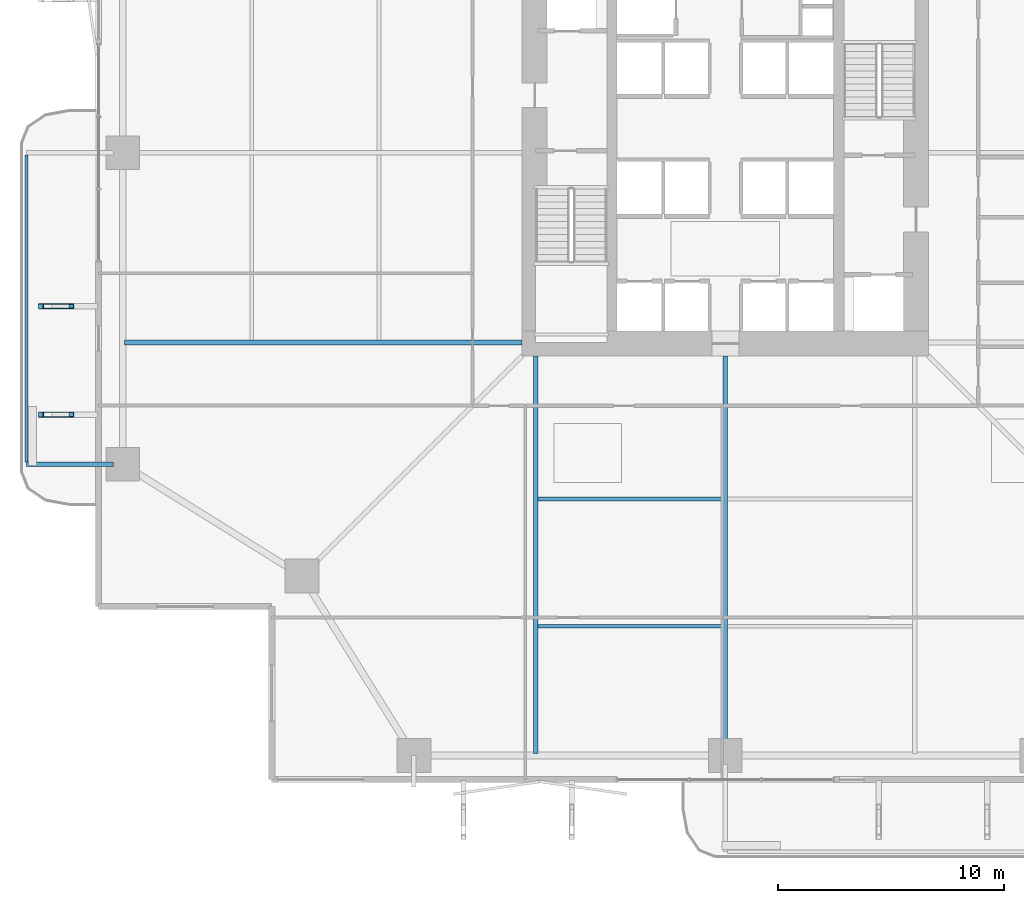
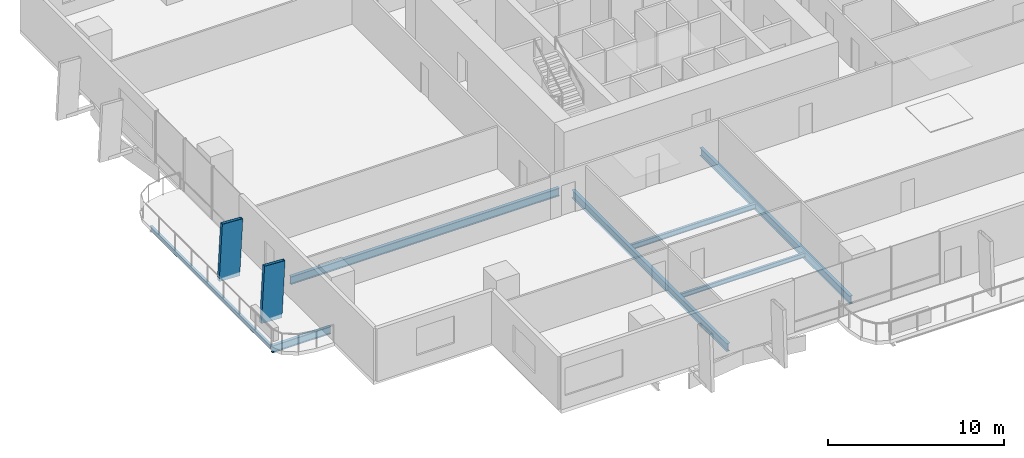
# One storey, part 3 of 24: 7 beams, 2 members.
"""IFC4 building model written with IfcOpenShell, lengths in metres."""

from ifc_helpers import new_model, si_unit, direction, frame, origin, origin_2d, place, context, subcontext, project, spatial, hollow_rectangle, i_section, extrude, material, material_profile, profile_set, type_object, element, save


model = new_model("IFC4")

# Units and contexts
model_context = context("Model", 3, precision=1e-05, world=origin(), true_north=direction((0.0, 1.0)))
body_context = subcontext(model_context, "Body", "Model", "MODEL_VIEW")
ifc_project = project(units=[si_unit("LENGTHUNIT", "METRE"), si_unit("AREAUNIT", "SQUARE_METRE"), si_unit("VOLUMEUNIT", "CUBIC_METRE"), si_unit("PLANEANGLEUNIT", "RADIAN"), si_unit("MASSUNIT", "GRAM", prefix="KILO")], contexts=[model_context])

# Site, building, storey
site_placement = place(None, origin())
site = spatial("IfcSite", under=ifc_project, at=site_placement, CompositionType="ELEMENT")
building_placement = place(site_placement, origin())
building = spatial("IfcBuilding", under=site, at=building_placement, Name="Belovzor Exchange Tower", CompositionType="ELEMENT")
storey_placement = place(building_placement, frame((0.0, 0.0, 61.199951171875)))
storey = spatial("IfcBuildingStorey", under=building, at=storey_placement, Name="L14", CompositionType="ELEMENT", Elevation=61.199951171875)

# Members
ifc_material_1 = material(Name="Extruded Architectural Terracotta on Steel S355 Carrier", Category="masonry")
ifc_material_profile_1 = material_profile(ifc_material_1, hollow_rectangle(XDim=0.219970703125, YDim=1.35009765625, WallThickness=0.013916015625, at=origin_2d()))
ifc_profile_set_1 = profile_set([ifc_material_profile_1], Name="Extruded Architectural Terracotta on Steel S355 Carrier")
member_type = type_object("IfcMemberType", Name="Base Arc Sweeping Terracotta Pylon Fin 1450", PredefinedType="USERDEFINED", material=ifc_profile_set_1)
for number, where, z_axis, x_axis, name in (
    (1, (-0.948974609375, 17.199951171875, -0.25), (0.053756276307, 0.0, 0.998554086045), (0.0, 1.0, 0.0), "FIN-TC145 Terracotta Facade Fin L14 W1"),
    (2, (-0.948974609375, 22.0, -0.25), (0.053756276307, 0.0, 0.998554086045), (0.0, 1.0, 0.0), "FIN-TC145 Terracotta Facade Fin L14 W2"),
):
    element("IfcMember", number, at=place(storey_placement, frame(where, z_axis=z_axis, x_axis=x_axis)), inside=storey, type_object=member_type, Name=name, ObjectType="FIN", PredefinedType="USERDEFINED", context=body_context, shape_type="SweptSolid", body=[
        extrude(hollow_rectangle(XDim=0.219970703125, YDim=1.35009765625, WallThickness=0.013916015625, at=origin_2d()), origin(), (0.0, 0.0, 1.0), 3.90576171875),
    ])

# Beams
ifc_material_2 = material(Name="Steel S355", Category="steel")
ifc_material_profile_2 = material_profile(ifc_material_2, i_section(OverallWidth=0.199951171875, OverallDepth=0.5, WebThickness=0.01025390625, FlangeThickness=0.01611328125, at=origin_2d()))
ifc_profile_set_2 = profile_set([ifc_material_profile_2], Name="Steel S355")
beam_type_1 = type_object("IfcBeamType", Name="Planted Balcony Cantilever Beam IPE 500", PredefinedType="BEAM", material=ifc_profile_set_2)
beam_1_placement = place(storey_placement, frame((1.68798828125, 15.0, -0.5), z_axis=(-1.0, 0.0, 0.0), x_axis=(0.0, -1.0, 0.0)))
element("IfcBeam", 3, at=beam_1_placement, inside=storey, type_object=beam_type_1, Name="BC-500 Planted Balcony Cantilever Beam IPE 500", PredefinedType="BEAM", context=body_context, shape_type="SweptSolid", body=[
    extrude(i_section(OverallWidth=0.199951171875, OverallDepth=0.5, WebThickness=0.01025390625, FlangeThickness=0.01611328125, at=origin_2d()), origin(), (0.0, 0.0, 1.0), 3.85009765625),
])
ifc_material_3 = material(Name="Steel S355", Category="steel")
ifc_material_profile_3 = material_profile(ifc_material_3, i_section(OverallWidth=0.14990234375, OverallDepth=0.300048828125, WebThickness=0.007080078125, FlangeThickness=0.0107421875, at=origin_2d()))
ifc_profile_set_3 = profile_set([ifc_material_profile_3], Name="Steel S355")
beam_type_2 = type_object("IfcBeamType", Name="Planted Balcony Fascia Edge Beam IPE 300", PredefinedType="BEAM", material=ifc_profile_set_3)
beam_2_placement = place(storey_placement, frame((-2.162109375, 28.699951171875, -0.39990234375), z_axis=(0.0, -1.0, 0.0), x_axis=(1.0, 0.0, 0.0)))
element("IfcBeam", 4, at=beam_2_placement, inside=storey, type_object=beam_type_2, Name="BC-300 Planted Balcony Fascia Edge Beam IPE 300", PredefinedType="BEAM", context=body_context, shape_type="SweptSolid", body=[
    extrude(i_section(OverallWidth=0.14990234375, OverallDepth=0.300048828125, WebThickness=0.007080078125, FlangeThickness=0.0107421875, at=origin_2d()), origin(), (0.0, 0.0, 1.0), 13.599853515625),
])
ifc_material_4 = material(Name="Steel S355", Category="steel")
ifc_material_profile_4 = material_profile(ifc_material_4, i_section(OverallWidth=0.169921875, OverallDepth=0.360107421875, WebThickness=0.008056640625, FlangeThickness=0.0126953125, at=origin_2d()))
ifc_profile_set_4 = profile_set([ifc_material_profile_4], Name="Steel S355")
beam_type_3 = type_object("IfcBeamType", Name="Secondary Infill Floor Joist IPE 360", PredefinedType="BEAM", material=ifc_profile_set_4)
beam_3_placement = place(storey_placement, frame((20.5048828125, 13.455078125, -0.429931640625), z_axis=(1.0, 0.0, 0.0), x_axis=(0.0, 1.0, 0.0)))
element("IfcBeam", 5, at=beam_3_placement, inside=storey, type_object=beam_type_3, Name="FJ-360 Secondary Infill Floor Joist IPE 360", PredefinedType="BEAM", context=body_context, shape_type="SweptSolid", body=[
    extrude(i_section(OverallWidth=0.169921875, OverallDepth=0.360107421875, WebThickness=0.008056640625, FlangeThickness=0.0126953125, at=origin_2d()), origin(), (0.0, 0.0, 1.0), 8.190185546875),
])
ifc_material_5 = material(Name="Steel S355", Category="steel")
ifc_material_profile_5 = material_profile(ifc_material_5, i_section(OverallWidth=0.14990234375, OverallDepth=0.300048828125, WebThickness=0.007080078125, FlangeThickness=0.0107421875, at=origin_2d()))
ifc_profile_set_5 = profile_set([ifc_material_profile_5], Name="Steel S355")
beam_type_4 = type_object("IfcBeamType", Name="Secondary Trim Floor Joist IPE 300", PredefinedType="BEAM", material=ifc_profile_set_5)
beam_4_placement = place(storey_placement, frame((20.5048828125, 7.81494140625, -0.39990234375), z_axis=(1.0, 0.0, 0.0), x_axis=(0.0, 1.0, 0.0)))
element("IfcBeam", 6, at=beam_4_placement, inside=storey, type_object=beam_type_4, Name="FJ-300 Secondary Trim Floor Joist IPE 300", PredefinedType="BEAM", context=body_context, shape_type="SweptSolid", body=[
    extrude(i_section(OverallWidth=0.14990234375, OverallDepth=0.300048828125, WebThickness=0.007080078125, FlangeThickness=0.0107421875, at=origin_2d()), origin(), (0.0, 0.0, 1.0), 8.190185546875),
])
ifc_material_6 = material(Name="Steel S355", Category="steel")
ifc_material_profile_6 = material_profile(ifc_material_6, i_section(OverallWidth=0.2099609375, OverallDepth=0.550048828125, WebThickness=0.010986328125, FlangeThickness=0.01708984375, at=origin_2d()))
ifc_profile_set_6 = profile_set([ifc_material_profile_6], Name="Steel S355")
beam_type_5 = type_object("IfcBeamType", Name="Zone 1 Radial Composite Floor Beam IPE 550", PredefinedType="BEAM", material=ifc_profile_set_6)
beam_5_placement = place(storey_placement, frame((20.39990234375, 19.800048828125, -0.52490234375), z_axis=(0.0, -1.0, 0.0), x_axis=(1.0, 0.0, 0.0)))
element("IfcBeam", 7, at=beam_5_placement, inside=storey, type_object=beam_type_5, Name="FB-550 Zone 1 Radial Composite Floor Beam IPE 550", PredefinedType="BEAM", context=body_context, shape_type="SweptSolid", body=[
    extrude(i_section(OverallWidth=0.2099609375, OverallDepth=0.550048828125, WebThickness=0.010986328125, FlangeThickness=0.01708984375, at=origin_2d()), origin(), (0.0, 0.0, 1.0), 17.625),
])
beam_6_placement = place(storey_placement, frame((28.800048828125, 19.800048828125, -0.52490234375), z_axis=(0.0, -1.0, 0.0), x_axis=(1.0, 0.0, 0.0)))
element("IfcBeam", 8, at=beam_6_placement, inside=storey, type_object=beam_type_5, Name="FB-550 Zone 1 Radial Composite Floor Beam IPE 550", PredefinedType="BEAM", context=body_context, shape_type="SweptSolid", body=[
    extrude(i_section(OverallWidth=0.2099609375, OverallDepth=0.550048828125, WebThickness=0.010986328125, FlangeThickness=0.01708984375, at=origin_2d()), origin(), (0.0, 0.0, 1.0), 17.0400390625),
])
beam_7_placement = place(storey_placement, frame((19.800048828125, 20.39990234375, -0.52490234375), z_axis=(-1.0, 0.0, 0.0), x_axis=(0.0, -1.0, 0.0)))
element("IfcBeam", 9, at=beam_7_placement, inside=storey, type_object=beam_type_5, Name="FB-550 Zone 1 Radial Composite Floor Beam IPE 550", PredefinedType="BEAM", context=body_context, shape_type="SweptSolid", body=[
    extrude(i_section(OverallWidth=0.2099609375, OverallDepth=0.550048828125, WebThickness=0.010986328125, FlangeThickness=0.01708984375, at=origin_2d()), origin(), (0.0, 0.0, 1.0), 17.625),
])

save(model, "model.ifc")
